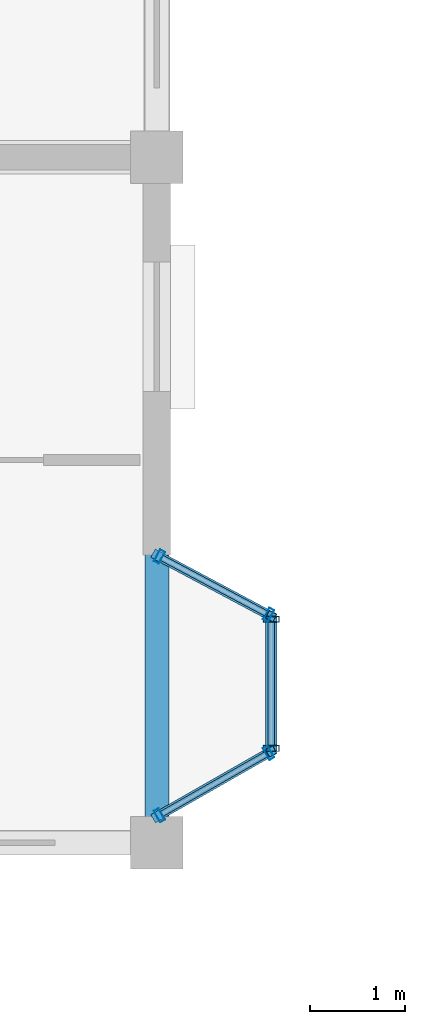
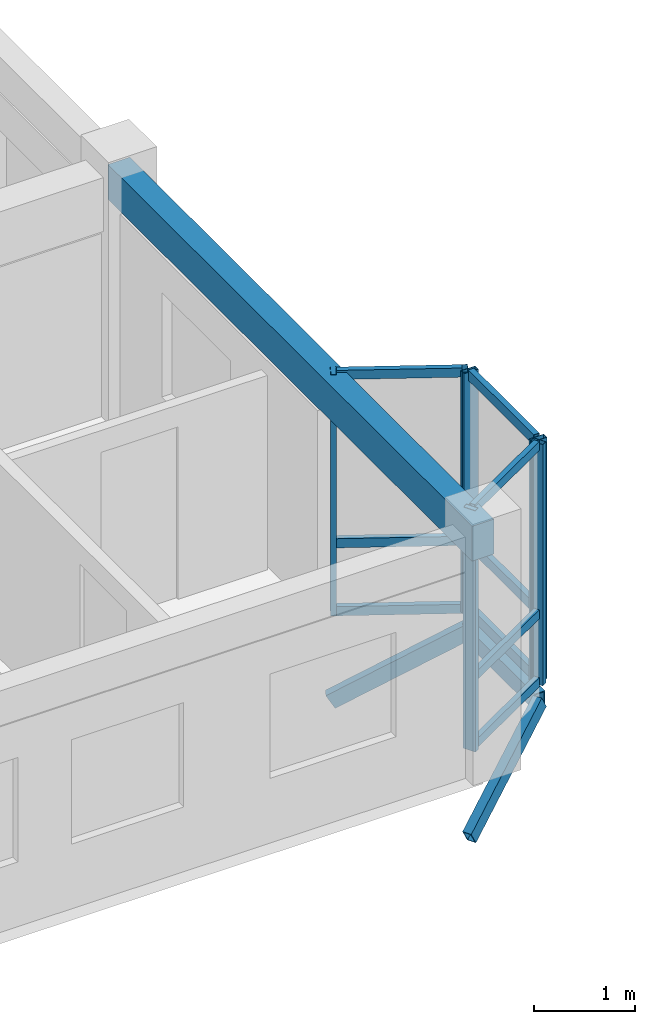
# One storey, part 15 of 77: 18 members, 1 beam, 3 elements without a shape of their own.
"""IFC4 building model written with IfcOpenShell, lengths in metres."""

from ifc_helpers import new_model, si_unit, direction, frame, origin, origin_2d, place, context, subcontext, project, spatial, rectangle, hollow_rectangle, extrude, material, layer, layer_set, material_profile, profile_set, type_object, element, aggregate, save


model = new_model("IFC4")

# Units and contexts
model_context = context("Model", 3, precision=1e-05, world=origin(), true_north=direction((0.0, 1.0)))
body_context = subcontext(model_context, "Body", "Model", "MODEL_VIEW")
ifc_project = project(units=[si_unit("LENGTHUNIT", "METRE"), si_unit("AREAUNIT", "SQUARE_METRE"), si_unit("VOLUMEUNIT", "CUBIC_METRE"), si_unit("PLANEANGLEUNIT", "RADIAN"), si_unit("MASSUNIT", "GRAM", prefix="KILO"), si_unit("THERMODYNAMICTEMPERATUREUNIT", "KELVIN"), si_unit("POWERUNIT", "WATT")], contexts=[model_context])

# Site, building, storey
site_placement = place(None, origin())
site = spatial("IfcSite", under=ifc_project, at=site_placement, CompositionType="ELEMENT")
building_placement = place(site_placement, origin())
building = spatial("IfcBuilding", under=site, at=building_placement, Name="Tavuni Mirador Residences", CompositionType="ELEMENT")
storey_placement = place(building_placement, frame((0.0, 0.0, 10.800048828125)))
storey = spatial("IfcBuildingStorey", under=building, at=storey_placement, Name="L03", CompositionType="ELEMENT", Elevation=10.800048828125)

# Beam
ifc_material_1 = material(Name="Precast concrete C40/50", Category="concrete")
ifc_material_profile_1 = material_profile(ifc_material_1, rectangle(XDim=0.25, YDim=0.419921875, at=origin_2d()), Name="PC 250x420", Category="concrete")
ifc_profile_set_1 = profile_set([ifc_material_profile_1], Name="Precast concrete C40/50")
beam_type = type_object("IfcBeamType", Name="BT-SP420", PredefinedType="SPANDREL", material=ifc_profile_set_1)
beam_placement = place(storey_placement, frame((25.199951171875, 64.800048828125, 2.699951171875), z_axis=(0.0, 1.0, 0.0), x_axis=(-1.0, 0.0, 0.0)))
element("IfcBeam", 1, at=beam_placement, inside=storey, type_object=beam_type, Name="BMY-BLK-B-L03-03-00", PredefinedType="SPANDREL", context=body_context, shape_type="SweptSolid", body=[
    extrude(rectangle(XDim=0.25, YDim=0.419921875, at=origin_2d()), origin(), (0.0, 0.0, 1.0), 7.199951171875),
])

# Curtain wall, members
ifc_material_2 = material(Name="Anodised aluminium", Category="aluminium")
ifc_layer_1 = layer(ifc_material_2, 0.1650390625, Name="Anodised aluminium", Category="aluminium")
ifc_layer_set_1 = layer_set([ifc_layer_1], Name="Anodised aluminium")
curtain_wall_type_1 = type_object("IfcCurtainWallType", Name="CWT-MIR-A", PredefinedType="NOTDEFINED", material=ifc_layer_set_1)
curtain_wall_1_placement = place(storey_placement, origin())
curtain_wall_1 = element("IfcCurtainWall", 2, at=curtain_wall_1_placement, inside=storey, type_object=curtain_wall_type_1, Name="CW-MIR-B-E1-L03-M1", PredefinedType="NOTDEFINED")
ifc_material_profile_2 = material_profile(ifc_material_2, hollow_rectangle(XDim=0.06005859375, YDim=0.139892578125, WallThickness=0.00390625, at=origin_2d()), Name="ALU 60x140x4.0", Category="aluminium")
ifc_profile_set_2 = profile_set([ifc_material_profile_2], Name="Anodised aluminium")
member_type_1 = type_object("IfcMemberType", Name="CWM-140", PredefinedType="MULLION", material=ifc_profile_set_2)
member_1_placement = place(storey_placement, frame((25.22607421875, 65.08984375, 0.0), z_axis=(0.0, 0.0, 1.0), x_axis=(0.868465738194, 0.495749192217, 0.0)))
member_1 = element("IfcMember", 3, at=member_1_placement, type_object=member_type_1, Name="CW-01 mullion 1", PredefinedType="MULLION", context=body_context, shape_type="SweptSolid", body=[
    extrude(hollow_rectangle(XDim=0.06005859375, YDim=0.139892578125, WallThickness=0.00390625, at=origin_2d()), origin(), (0.0, 0.0, 1.0), 2.909912109375),
])
member_2_placement = place(storey_placement, frame((26.3740234375, 65.7451171875, 0.0), z_axis=(0.0, 0.0, 1.0), x_axis=(0.868465738194, 0.495749192217, 0.0)))
member_2 = element("IfcMember", 4, at=member_2_placement, type_object=member_type_1, Name="CW-01 mullion 2", PredefinedType="MULLION", context=body_context, shape_type="SweptSolid", body=[
    extrude(hollow_rectangle(XDim=0.06005859375, YDim=0.139892578125, WallThickness=0.00390625, at=origin_2d()), origin(), (0.0, 0.0, 1.0), 2.909912109375),
])

ifc_layer_2 = layer(ifc_material_2, 0.175048828125, Name="Anodised aluminium", Category="aluminium")
ifc_layer_set_2 = layer_set([ifc_layer_2], Name="Anodised aluminium")
curtain_wall_type_2 = type_object("IfcCurtainWallType", Name="CWT-MIR-C", PredefinedType="NOTDEFINED", material=ifc_layer_set_2)
curtain_wall_2_placement = place(storey_placement, origin())
curtain_wall_2 = element("IfcCurtainWall", 5, at=curtain_wall_2_placement, inside=storey, type_object=curtain_wall_type_2, Name="CW-MIR-B-E1-L03-M2", PredefinedType="NOTDEFINED")
member_3_placement = place(storey_placement, frame((26.37353515625, 67.194091796875, 0.0), z_axis=(0.0, 0.0, 1.0), x_axis=(-0.882352941175, 0.470588235296, 0.0)))
member_3 = element("IfcMember", 6, at=member_3_placement, type_object=member_type_1, Name="CW-03 mullion 1", PredefinedType="MULLION", context=body_context, shape_type="SweptSolid", body=[
    extrude(hollow_rectangle(XDim=0.06005859375, YDim=0.139892578125, WallThickness=0.00390625, at=origin_2d()), origin(), (0.0, 0.0, 1.0), 2.909912109375),
])
member_4_placement = place(storey_placement, frame((25.2265625, 67.805908203125, 0.0), z_axis=(0.0, 0.0, 1.0), x_axis=(-0.882352941175, 0.470588235296, 0.0)))
member_4 = element("IfcMember", 7, at=member_4_placement, type_object=member_type_1, Name="CW-03 mullion 2", PredefinedType="MULLION", context=body_context, shape_type="SweptSolid", body=[
    extrude(hollow_rectangle(XDim=0.06005859375, YDim=0.139892578125, WallThickness=0.00390625, at=origin_2d()), origin(), (0.0, 0.0, 1.0), 2.909912109375),
])

ifc_layer_3 = layer(ifc_material_2, 0.14990234375, Name="Anodised aluminium", Category="aluminium")
ifc_layer_set_3 = layer_set([ifc_layer_3], Name="Anodised aluminium")
curtain_wall_type_3 = type_object("IfcCurtainWallType", Name="CWT-MIR-B", PredefinedType="NOTDEFINED", material=ifc_layer_set_3)
curtain_wall_3_placement = place(storey_placement, origin())
curtain_wall_3 = element("IfcCurtainWall", 8, at=curtain_wall_3_placement, inside=storey, type_object=curtain_wall_type_3, Name="CW-MIR-B-E1-L03-MF", PredefinedType="NOTDEFINED")
ifc_material_profile_3 = material_profile(ifc_material_2, hollow_rectangle(XDim=0.06494140625, YDim=0.1650390625, WallThickness=0.00439453125, at=origin_2d()), Name="ALU 65x165x4.5", Category="aluminium")
ifc_profile_set_3 = profile_set([ifc_material_profile_3], Name="Anodised aluminium")
member_type_2 = type_object("IfcMemberType", Name="CWM-165", PredefinedType="MULLION", material=ifc_profile_set_3)
member_5_placement = place(storey_placement, frame((26.39990234375, 65.79248046875, 0.0), z_axis=(0.0, 0.0, 1.0), x_axis=(0.0, 1.0, 0.0)))
member_5 = element("IfcMember", 9, at=member_5_placement, type_object=member_type_2, Name="CW-02 mullion 1", PredefinedType="MULLION", context=body_context, shape_type="SweptSolid", body=[
    extrude(hollow_rectangle(XDim=0.06494140625, YDim=0.1650390625, WallThickness=0.00439453125, at=origin_2d()), origin(), (0.0, 0.0, 1.0), 2.909912109375),
])
member_6_placement = place(storey_placement, frame((26.39990234375, 67.1474609375, 0.0), z_axis=(0.0, 0.0, 1.0), x_axis=(0.0, 1.0, 0.0)))
member_6 = element("IfcMember", 10, at=member_6_placement, type_object=member_type_2, Name="CW-02 mullion 2", PredefinedType="MULLION", context=body_context, shape_type="SweptSolid", body=[
    extrude(hollow_rectangle(XDim=0.06494140625, YDim=0.1650390625, WallThickness=0.00439453125, at=origin_2d()), origin(), (0.0, 0.0, 1.0), 2.909912109375),
])

# Member
ifc_material_profile_4 = material_profile(ifc_material_2, hollow_rectangle(XDim=0.06005859375, YDim=0.110107421875, WallThickness=0.00390625, at=origin_2d()), Name="ALU 60x110x4.0", Category="aluminium")
ifc_profile_set_4 = profile_set([ifc_material_profile_4], Name="Anodised aluminium")
member_type_3 = type_object("IfcMemberType", Name="CWT-110", PredefinedType="USERDEFINED", material=ifc_profile_set_4)
member_7_placement = place(storey_placement, frame((25.252197265625, 65.104736328125, 0.030029296875), z_axis=(0.868457406816, 0.495763787046, 0.0), x_axis=(-0.495763787046, 0.868457406816, 0.0)))
member_7 = element("IfcMember", 11, at=member_7_placement, type_object=member_type_3, Name="CW-01 transom 1.1", ObjectType="TRANSOM", PredefinedType="USERDEFINED", context=body_context, shape_type="SweptSolid", body=[
    extrude(hollow_rectangle(XDim=0.06005859375, YDim=0.110107421875, WallThickness=0.00390625, at=origin_2d()), origin(), (0.0, 0.0, 1.0), 1.26171875),
])

member_8_placement = place(storey_placement, frame((25.252197265625, 65.104736328125, 0.849853515625), z_axis=(0.868457406816, 0.495763787046, 0.0), x_axis=(-0.495763787046, 0.868457406816, 0.0)))
member_8 = element("IfcMember", 12, at=member_8_placement, type_object=member_type_3, Name="CW-01 transom 1.2", ObjectType="TRANSOM", PredefinedType="USERDEFINED", context=body_context, shape_type="SweptSolid", body=[
    extrude(hollow_rectangle(XDim=0.06005859375, YDim=0.110107421875, WallThickness=0.00390625, at=origin_2d()), origin(), (0.0, 0.0, 1.0), 1.26171875),
])

member_9_placement = place(storey_placement, frame((25.252197265625, 65.104736328125, 2.8798828125), z_axis=(0.868457406816, 0.495763787046, 0.0), x_axis=(-0.495763787046, 0.868457406816, 0.0)))
member_9 = element("IfcMember", 13, at=member_9_placement, type_object=member_type_3, Name="CW-01 transom 1.3", ObjectType="TRANSOM", PredefinedType="USERDEFINED", context=body_context, shape_type="SweptSolid", body=[
    extrude(hollow_rectangle(XDim=0.06005859375, YDim=0.110107421875, WallThickness=0.00390625, at=origin_2d()), origin(), (0.0, 0.0, 1.0), 1.26171875),
])

aggregate(curtain_wall_1, [member_1, member_2, member_7, member_8, member_9])

member_10_placement = place(storey_placement, frame((26.34716796875, 67.208251953125, 0.030029296875), z_axis=(-0.882385637708, 0.470526924168, 0.0), x_axis=(-0.470526924168, -0.882385637708, 0.0)))
member_10 = element("IfcMember", 14, at=member_10_placement, type_object=member_type_3, Name="CW-03 transom 1.1", ObjectType="TRANSOM", PredefinedType="USERDEFINED", context=body_context, shape_type="SweptSolid", body=[
    extrude(hollow_rectangle(XDim=0.06005859375, YDim=0.110107421875, WallThickness=0.00390625, at=origin_2d()), origin(), (0.0, 0.0, 1.0), 1.239990234375),
])

member_11_placement = place(storey_placement, frame((26.34716796875, 67.208251953125, 0.849853515625), z_axis=(-0.882385637708, 0.470526924168, 0.0), x_axis=(-0.470526924168, -0.882385637708, 0.0)))
member_11 = element("IfcMember", 15, at=member_11_placement, type_object=member_type_3, Name="CW-03 transom 1.2", ObjectType="TRANSOM", PredefinedType="USERDEFINED", context=body_context, shape_type="SweptSolid", body=[
    extrude(hollow_rectangle(XDim=0.06005859375, YDim=0.110107421875, WallThickness=0.00390625, at=origin_2d()), origin(), (0.0, 0.0, 1.0), 1.239990234375),
])

member_12_placement = place(storey_placement, frame((26.34716796875, 67.208251953125, 2.8798828125), z_axis=(-0.882385637708, 0.470526924168, 0.0), x_axis=(-0.470526924168, -0.882385637708, 0.0)))
member_12 = element("IfcMember", 16, at=member_12_placement, type_object=member_type_3, Name="CW-03 transom 1.3", ObjectType="TRANSOM", PredefinedType="USERDEFINED", context=body_context, shape_type="SweptSolid", body=[
    extrude(hollow_rectangle(XDim=0.06005859375, YDim=0.110107421875, WallThickness=0.00390625, at=origin_2d()), origin(), (0.0, 0.0, 1.0), 1.239990234375),
])

aggregate(curtain_wall_2, [member_3, member_4, member_10, member_11, member_12])

ifc_material_profile_5 = material_profile(ifc_material_2, hollow_rectangle(XDim=0.06494140625, YDim=0.125, WallThickness=0.00439453125, at=origin_2d()), Name="ALU 65x125x4.5", Category="aluminium")
ifc_profile_set_5 = profile_set([ifc_material_profile_5], Name="Anodised aluminium")
member_type_4 = type_object("IfcMemberType", Name="CWT-125", PredefinedType="USERDEFINED", material=ifc_profile_set_5)
member_13_placement = place(storey_placement, frame((26.39990234375, 65.824951171875, 0.032470703125), z_axis=(0.0, 1.0, 0.0), x_axis=(-1.0, 0.0, 0.0)))
member_13 = element("IfcMember", 17, at=member_13_placement, type_object=member_type_4, Name="CW-02 transom 1.1", ObjectType="TRANSOM", PredefinedType="USERDEFINED", context=body_context, shape_type="SweptSolid", body=[
    extrude(hollow_rectangle(XDim=0.06494140625, YDim=0.125, WallThickness=0.00439453125, at=origin_2d()), origin(), (0.0, 0.0, 1.0), 1.2900390625),
])

member_14_placement = place(storey_placement, frame((26.39990234375, 65.824951171875, 0.849853515625), z_axis=(0.0, 1.0, 0.0), x_axis=(-1.0, 0.0, 0.0)))
member_14 = element("IfcMember", 18, at=member_14_placement, type_object=member_type_4, Name="CW-02 transom 1.2", ObjectType="TRANSOM", PredefinedType="USERDEFINED", context=body_context, shape_type="SweptSolid", body=[
    extrude(hollow_rectangle(XDim=0.06494140625, YDim=0.125, WallThickness=0.00439453125, at=origin_2d()), origin(), (0.0, 0.0, 1.0), 1.2900390625),
])

member_15_placement = place(storey_placement, frame((26.39990234375, 65.824951171875, 2.87744140625), z_axis=(0.0, 1.0, 0.0), x_axis=(-1.0, 0.0, 0.0)))
member_15 = element("IfcMember", 19, at=member_15_placement, type_object=member_type_4, Name="CW-02 transom 1.3", ObjectType="TRANSOM", PredefinedType="USERDEFINED", context=body_context, shape_type="SweptSolid", body=[
    extrude(hollow_rectangle(XDim=0.06494140625, YDim=0.125, WallThickness=0.00439453125, at=origin_2d()), origin(), (0.0, 0.0, 1.0), 1.2900390625),
])

aggregate(curtain_wall_3, [member_5, member_6, member_13, member_14, member_15])

# Members
ifc_material_3 = material(Name="Structural steel S355", Category="steel")
ifc_material_profile_6 = material_profile(ifc_material_3, hollow_rectangle(XDim=0.10009765625, YDim=0.179931640625, WallThickness=0.008056640625, at=origin_2d()), Name="RHS 180x100x8.0", Category="steel")
ifc_profile_set_6 = profile_set([ifc_material_profile_6], Name="Structural steel S355")
member_type_5 = type_object("IfcMemberType", Name="MT-BR-RHS180", PredefinedType="BRACE", material=ifc_profile_set_6)
member_16_placement = place(storey_placement, frame((25.199951171875, 65.074951171875, -1.050048828125), z_axis=(0.749182227944, 0.427712173268, 0.505755164256), x_axis=(-0.495796390047, 0.868438794398, 0.0)))
element("IfcMember", 20, at=member_16_placement, inside=storey, type_object=member_type_5, Name="MBRK-MIR-B-E1-L03-1", PredefinedType="BRACE", context=body_context, shape_type="SweptSolid", body=[
    extrude(hollow_rectangle(XDim=0.10009765625, YDim=0.179931640625, WallThickness=0.008056640625, at=origin_2d()), origin(), (0.0, 0.0, 1.0), 1.6015625),
])
member_17_placement = place(storey_placement, frame((25.199951171875, 67.820068359375, -1.050048828125), z_axis=(0.758028963388, -0.404384932249, 0.511727385661), x_axis=(0.470681405175, 0.882303244255, 0.0)))
element("IfcMember", 21, at=member_17_placement, inside=storey, type_object=member_type_5, Name="MBRK-MIR-B-E1-L03-2", PredefinedType="BRACE", context=body_context, shape_type="SweptSolid", body=[
    extrude(hollow_rectangle(XDim=0.10009765625, YDim=0.179931640625, WallThickness=0.008056640625, at=origin_2d()), origin(), (0.0, 0.0, 1.0), 1.5830078125),
])
ifc_material_profile_7 = material_profile(ifc_material_3, hollow_rectangle(XDim=0.1201171875, YDim=0.199951171875, WallThickness=0.010009765625, at=origin_2d()), Name="RHS 200x120x10.0", Category="steel")
ifc_profile_set_7 = profile_set([ifc_material_profile_7], Name="Structural steel S355")
member_type_6 = type_object("IfcMemberType", Name="MT-ST-RHS200", PredefinedType="STRUT", material=ifc_profile_set_7)
member_18_placement = place(storey_placement, frame((26.39990234375, 65.760009765625, -0.239990234375), z_axis=(0.0, 1.0, 0.0), x_axis=(-1.0, 0.0, 0.0)))
element("IfcMember", 22, at=member_18_placement, inside=storey, type_object=member_type_6, Name="MRIM-MIR-B-E1-L03", PredefinedType="STRUT", context=body_context, shape_type="SweptSolid", body=[
    extrude(hollow_rectangle(XDim=0.1201171875, YDim=0.199951171875, WallThickness=0.010009765625, at=origin_2d()), origin(), (0.0, 0.0, 1.0), 1.419921875),
])

save(model, "model.ifc")
